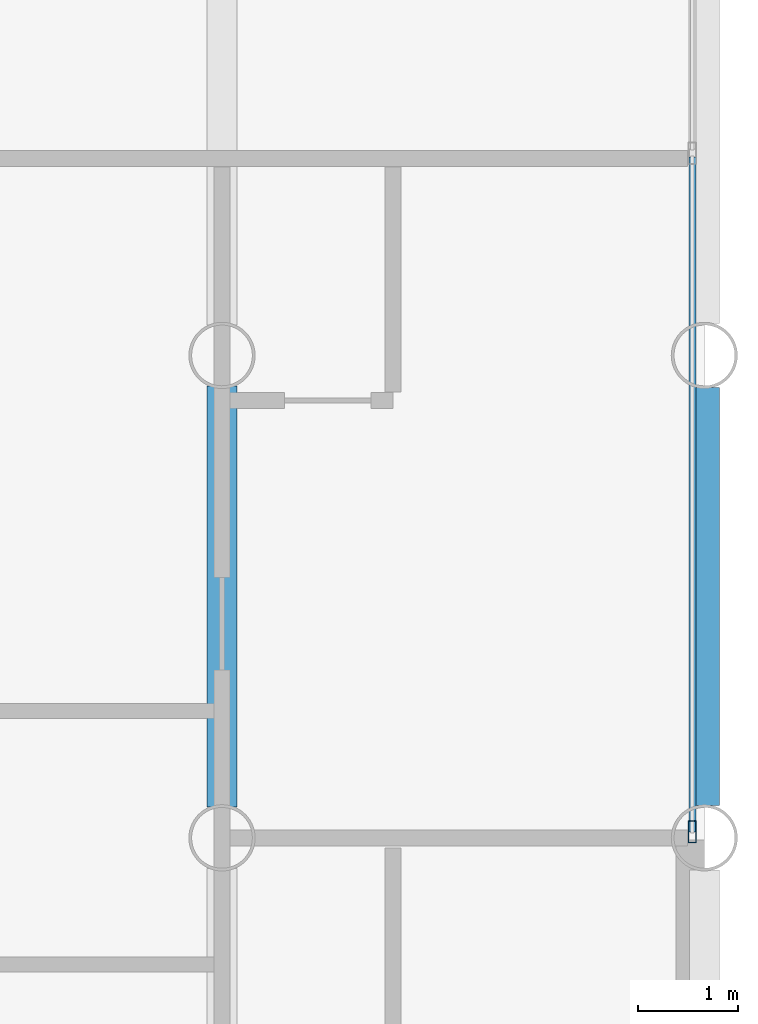
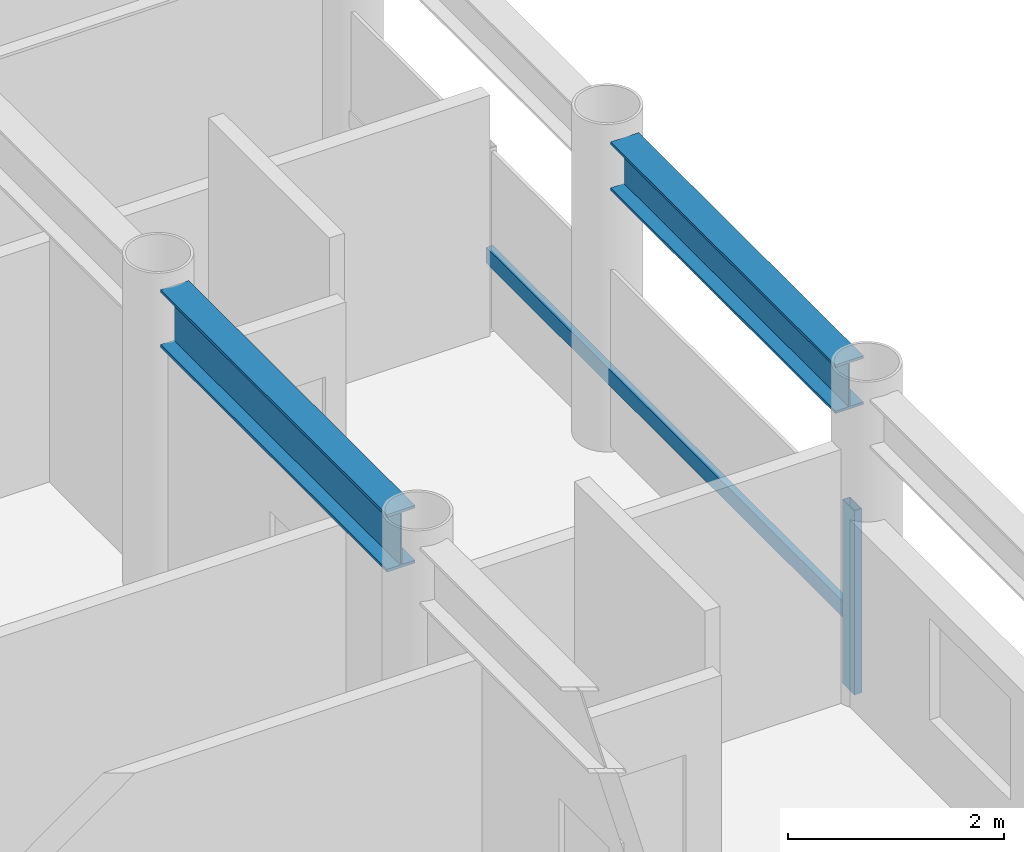
# One storey, part 8 of 22: 2 beams, 2 members, 1 element without a shape of its own.
"""IFC4 building model written with IfcOpenShell, lengths in metres."""

from ifc_helpers import new_model, si_unit, direction, frame, origin, origin_2d, place, context, subcontext, project, spatial, hollow_rectangle, i_section, extrude, material, layer, layer_set, material_profile, profile_set, type_object, element, aggregate, save


model = new_model("IFC4")

# Units and contexts
model_context = context("Model", 3, precision=1e-05, world=origin(), true_north=direction((0.0, 1.0)))
body_context = subcontext(model_context, "Body", "Model", "MODEL_VIEW")
ifc_project = project(units=[si_unit("LENGTHUNIT", "METRE"), si_unit("AREAUNIT", "SQUARE_METRE"), si_unit("VOLUMEUNIT", "CUBIC_METRE"), si_unit("PLANEANGLEUNIT", "RADIAN"), si_unit("MASSUNIT", "GRAM", prefix="KILO")], contexts=[model_context])

# Site, building, storey
site_placement = place(None, origin())
site = spatial("IfcSite", under=ifc_project, at=site_placement, CompositionType="ELEMENT")
building_placement = place(site_placement, origin())
building = spatial("IfcBuilding", under=site, at=building_placement, Name="Kallvorn Hotel Tower", CompositionType="ELEMENT")
storey_placement = place(building_placement, frame((0.0, 0.0, 113.699951171875)))
storey = spatial("IfcBuildingStorey", under=building, at=storey_placement, Name="L27", CompositionType="ELEMENT", Elevation=113.699951171875)

# Beams
ifc_material_1 = material(Name="Structural steel S355JR", Category="steel")
ifc_material_profile_1 = material_profile(ifc_material_1, i_section(OverallWidth=0.300048828125, OverallDepth=0.550048828125, WebThickness=0.014892578125, FlangeThickness=0.029052734375, at=origin_2d()), Name="HE 550 B")
ifc_profile_set_1 = profile_set([ifc_material_profile_1], Name="Structural steel S355JR")
beam_type_1 = type_object("IfcBeamType", Name="BM_HE550B", PredefinedType="SPANDREL", material=ifc_profile_set_1)
beam_1_placement = place(storey_placement, frame((33.60009765625, 0.320068359375, 3.2451171875), z_axis=(0.0, 1.0, 0.0), x_axis=(-1.0, 0.0, 0.0)))
element("IfcBeam", 1, at=beam_1_placement, inside=storey, type_object=beam_type_1, Name="L28 Perimeter Spandrel 185", PredefinedType="SPANDREL", context=body_context, shape_type="SweptSolid", body=[
    extrude(i_section(OverallWidth=0.300048828125, OverallDepth=0.550048828125, WebThickness=0.014892578125, FlangeThickness=0.029052734375, at=origin_2d()), origin(), (0.0, 0.0, 1.0), 4.159912109375),
])
ifc_material_2 = material(Name="Structural steel S355JR", Category="steel")
ifc_material_profile_2 = material_profile(ifc_material_2, i_section(OverallWidth=0.300048828125, OverallDepth=0.64990234375, WebThickness=0.01611328125, FlangeThickness=0.031005859375, at=origin_2d()), Name="HE 650 B")
ifc_profile_set_2 = profile_set([ifc_material_profile_2], Name="Structural steel S355JR")
beam_type_2 = type_object("IfcBeamType", Name="BM_HE650B", PredefinedType="BEAM", material=ifc_profile_set_2)
beam_2_placement = place(storey_placement, frame((28.800048828125, 0.304931640625, 3.195068359375), z_axis=(0.0, 1.0, 0.0), x_axis=(-1.0, 0.0, 0.0)))
element("IfcBeam", 2, at=beam_2_placement, inside=storey, type_object=beam_type_2, Name="L28 Primary Y-Girder 146", PredefinedType="BEAM", context=body_context, shape_type="SweptSolid", body=[
    extrude(i_section(OverallWidth=0.300048828125, OverallDepth=0.64990234375, WebThickness=0.01611328125, FlangeThickness=0.031005859375, at=origin_2d()), origin(), (0.0, 0.0, 1.0), 4.190185546875),
])

# Curtain wall, members
ifc_material_3 = material(Name="Thermally broken black-anodised aluminium AA 6063-T6", Category="aluminium")
ifc_layer = layer(ifc_material_3, 0.199951171875)
ifc_layer_set = layer_set([ifc_layer], Name="CW_SYS_3_HOTEL_LOW")
curtain_wall_type = type_object("IfcCurtainWallType", Name="CW_SYS_3_HOTEL_LOW", PredefinedType="USERDEFINED", material=ifc_layer_set)
curtain_wall_placement = place(storey_placement, origin())
curtain_wall = element("IfcCurtainWall", 3, at=curtain_wall_placement, inside=storey, type_object=curtain_wall_type, Name="L27 Dark-Glass Curtain Wall CW-L27-EN", ObjectType="UNITISED CURTAIN WALL", PredefinedType="USERDEFINED")
ifc_material_4 = material(Name="Thermally broken black-anodised aluminium AA 6063-T6", Category="aluminium")
ifc_material_profile_3 = material_profile(ifc_material_4, hollow_rectangle(XDim=0.080078125, YDim=0.219970703125, WallThickness=0.0048828125, at=origin_2d()), Name="MUL 220x80")
ifc_profile_set_3 = profile_set([ifc_material_profile_3], Name="Thermally broken black-anodised aluminium AA 6063-T6")
member_type_1 = type_object("IfcMemberType", Name="CW_MULLION_220x80", PredefinedType="MULLION", material=ifc_profile_set_3)
member_1_placement = place(storey_placement, frame((33.47998046875, 0.06005859375, 0.02001953125), z_axis=(0.0, 0.0, 1.0), x_axis=(1.0, 0.0, 0.0)))
member_1 = element("IfcMember", 4, at=member_1_placement, type_object=member_type_1, Name="CW-L27-EN Mullion 00", PredefinedType="MULLION", context=body_context, shape_type="SweptSolid", body=[
    extrude(hollow_rectangle(XDim=0.080078125, YDim=0.219970703125, WallThickness=0.0048828125, at=origin_2d()), origin(), (0.0, 0.0, 1.0), 2.080078125),
])
ifc_material_5 = material(Name="Thermally broken black-anodised aluminium AA 6063-T6", Category="aluminium")
ifc_material_profile_4 = material_profile(ifc_material_5, hollow_rectangle(XDim=0.070068359375, YDim=0.179931640625, WallThickness=0.00390625, at=origin_2d()), Name="TRN 180x70")
ifc_profile_set_4 = profile_set([ifc_material_profile_4], Name="Thermally broken black-anodised aluminium AA 6063-T6")
member_type_2 = type_object("IfcMemberType", Name="CW_TRANSOM_180x70", PredefinedType="USERDEFINED", material=ifc_profile_set_4)
member_2_placement = place(storey_placement, frame((33.47998046875, 0.06005859375, 0.85009765625), z_axis=(0.0, 1.0, 0.0), x_axis=(-1.0, 0.0, 0.0)))
member_2 = element("IfcMember", 5, at=member_2_placement, type_object=member_type_2, Name="CW-L27-EN Transom 00M", ObjectType="TRANSOM", PredefinedType="USERDEFINED", context=body_context, shape_type="SweptSolid", body=[
    extrude(hollow_rectangle(XDim=0.070068359375, YDim=0.179931640625, WallThickness=0.00390625, at=origin_2d()), origin(), (0.0, 0.0, 1.0), 6.713134765625),
])
aggregate(curtain_wall, [member_1, member_2])

save(model, "model.ifc")
